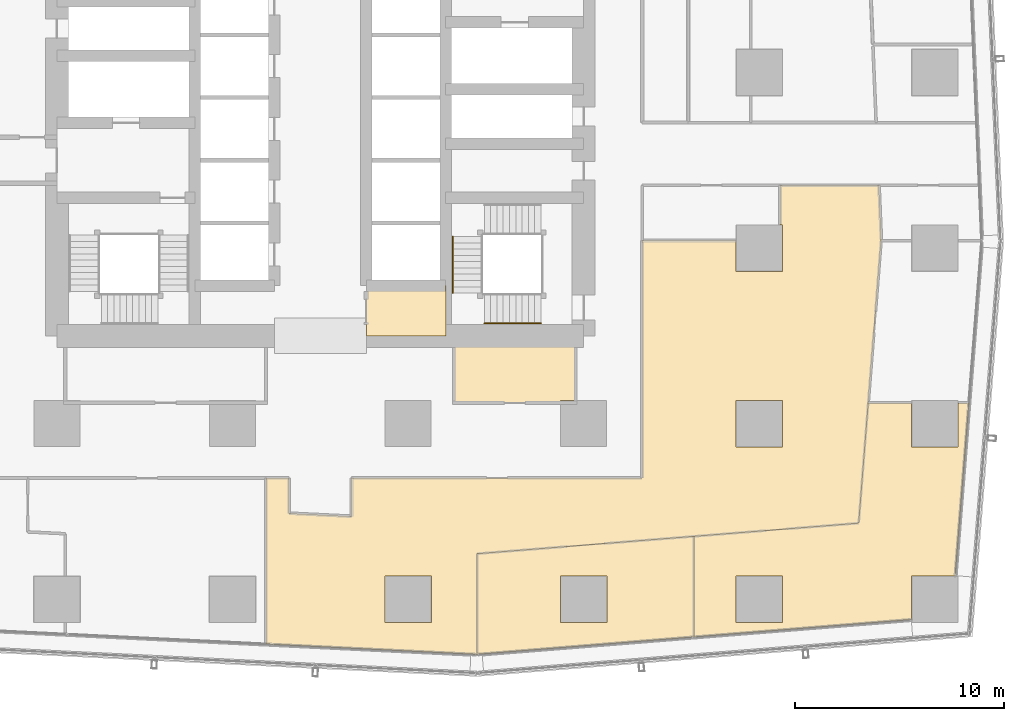
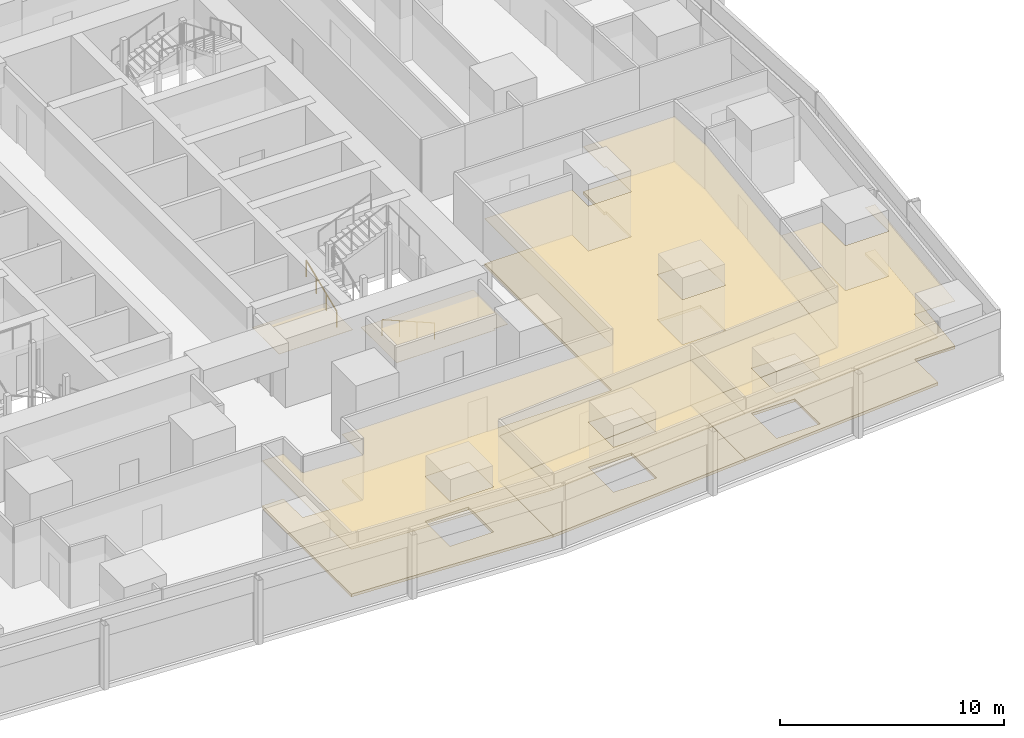
# One storey, part 36 of 42: 8 coverings, 2 railings.
"""IFC4 building model written with IfcOpenShell, lengths in metres."""

from ifc_helpers import new_model, si_unit, direction, frame, origin, origin_2d, place, context, subcontext, project, spatial, polyline, circle, outline, extrude, material, layer, layer_set, type_object, element, save


model = new_model("IFC4")

# Units and contexts
model_context = context("Model", 3, precision=1e-05, world=origin(), true_north=direction((0.0, 1.0)))
body_context = subcontext(model_context, "Body", "Model", "MODEL_VIEW")
ifc_project = project(units=[si_unit("LENGTHUNIT", "METRE"), si_unit("AREAUNIT", "SQUARE_METRE"), si_unit("VOLUMEUNIT", "CUBIC_METRE"), si_unit("PLANEANGLEUNIT", "RADIAN"), si_unit("MASSUNIT", "GRAM", prefix="KILO")], contexts=[model_context])

# Site, building, storey
site_placement = place(None, origin())
site = spatial("IfcSite", under=ifc_project, at=site_placement, CompositionType="ELEMENT")
building_placement = place(site_placement, origin())
building = spatial("IfcBuilding", under=site, at=building_placement, Name="Rekha Terrace Tower", CompositionType="ELEMENT")
storey_placement = place(building_placement, frame((0.0, 0.0, 55.39990234375)))
storey = spatial("IfcBuildingStorey", under=building, at=storey_placement, Name="L13", CompositionType="ELEMENT", Elevation=55.39990234375)

# Coverings
ifc_material_1 = material(Name="Mineral fibre tile in exposed grid", Category="finish")
ifc_layer_1 = layer(ifc_material_1, 0.02001953125)
ifc_layer_set_1 = layer_set([ifc_layer_1], Name="Mineral fibre tile in exposed grid")
covering_type_1 = type_object("IfcCoveringType", Name="CL1 600x1200 office grid ceiling", PredefinedType="CEILING", material=ifc_layer_set_1)
covering_1_placement = place(storey_placement, frame((0.0, 0.0, 2.580078125)))
element("IfcCovering", 1, at=covering_1_placement, inside=storey, type_object=covering_type_1, Name="Ceiling L13-02", PredefinedType="CEILING", context=body_context, shape_type="SweptSolid", body=[
    extrude(outline(polyline([(55.6708984375, 6.594970703125), (55.6708984375, 11.410888671875), (45.304931640625, 10.580078125), (45.304931640625, 5.764892578125), (55.6708984375, 6.594970703125)]), holes=[polyline([(51.514892578125, 7.284912109375), (49.284912109375, 7.284912109375), (49.284912109375, 9.514892578125), (51.514892578125, 9.514892578125), (51.514892578125, 7.284912109375)])]), origin(), (0.0, 0.0, 1.0), 0.02001953125),
])
covering_2_placement = place(storey_placement, frame((0.0, 0.0, 2.580078125)))
element("IfcCovering", 2, at=covering_2_placement, inside=storey, type_object=covering_type_1, Name="Ceiling L13-03", PredefinedType="CEILING", context=body_context, shape_type="SweptSolid", body=[
    extrude(outline(polyline([(63.553955078125, 12.0419921875), (55.673095703125, 11.410888671875), (55.673095703125, 6.594970703125), (66.0849609375, 7.428955078125), (66.0849609375, 9.514892578125), (68.16796875, 9.514892578125), (68.824951171875, 17.798095703125), (68.31494140625, 17.798095703125), (68.31494140625, 15.68505859375), (66.0849609375, 15.68505859375), (66.0849609375, 17.798095703125), (64.010009765625, 17.798095703125), (63.553955078125, 12.0419921875)]), holes=[polyline([(59.9150390625, 7.284912109375), (57.68505859375, 7.284912109375), (57.68505859375, 9.514892578125), (59.9150390625, 9.514892578125), (59.9150390625, 7.284912109375)])]), origin(), (0.0, 0.0, 1.0), 0.02001953125),
])
covering_3_placement = place(storey_placement, frame((0.0, 0.0, 2.580078125)))
element("IfcCovering", 3, at=covering_3_placement, inside=storey, type_object=covering_type_1, Name="Ceiling L13-O1", PredefinedType="CEILING", context=body_context, shape_type="SweptSolid", body=[
    extrude(outline(polyline([(45.304931640625, 10.580078125), (55.6708984375, 11.410888671875), (63.553955078125, 12.0419921875), (64.010009765625, 17.799072265625), (64.625, 25.551025390625), (64.632080078125, 25.551025390625), (64.51904296875, 28.199951171875), (59.800048828125, 28.199951171875), (59.800048828125, 26.31494140625), (59.9150390625, 26.31494140625), (59.9150390625, 24.0849609375), (57.68505859375, 24.0849609375), (57.68505859375, 25.552001953125), (53.199951171875, 25.552001953125), (53.199951171875, 14.199951171875), (39.300048828125, 14.199951171875), (39.300048828125, 12.363037109375), (36.300048828125, 12.510009765625), (36.300048828125, 14.199951171875), (35.200927734375, 14.199951171875), (35.200927734375, 6.257080078125), (45.27197265625, 5.761962890625), (45.304931640625, 5.764892578125), (45.304931640625, 10.580078125)]), holes=[polyline([(59.9150390625, 17.9150390625), (59.9150390625, 15.68505859375), (57.68505859375, 15.68505859375), (57.68505859375, 17.9150390625), (59.9150390625, 17.9150390625)]), polyline([(43.114990234375, 7.284912109375), (40.885009765625, 7.284912109375), (40.885009765625, 9.514892578125), (43.114990234375, 9.514892578125), (43.114990234375, 7.284912109375)])]), origin(), (0.0, 0.0, 1.0), 0.02001953125),
])
ifc_material_2 = material(Name="Fibre cement board", Category="finish")
ifc_layer_2 = layer(ifc_material_2, 0.014892578125)
ifc_layer_set_2 = layer_set([ifc_layer_2], Name="Fibre cement board")
covering_type_2 = type_object("IfcCoveringType", Name="CL2 moisture-resistant board ceiling", PredefinedType="CEILING", material=ifc_layer_set_2)
covering_4_placement = place(storey_placement, frame((0.0, 0.0, 2.585205078125)))
element("IfcCovering", 4, at=covering_4_placement, inside=storey, type_object=covering_type_2, Name="Ceiling L13-WCA", PredefinedType="CEILING", context=body_context, shape_type="SweptSolid", body=[
    extrude(outline(polyline([(43.800048828125, 23.39990234375), (40.0, 23.39990234375), (40.0, 21.0), (43.800048828125, 21.0), (43.800048828125, 23.39990234375)])), origin(), (0.0, 0.0, 1.0), 0.014892578125),
])
covering_5_placement = place(storey_placement, frame((0.0, 0.0, 2.585205078125)))
element("IfcCovering", 5, at=covering_5_placement, inside=storey, type_object=covering_type_2, Name="Ceiling L13-WCM2", PredefinedType="CEILING", context=body_context, shape_type="SweptSolid", body=[
    extrude(outline(polyline([(50.0, 21.0), (44.199951171875, 21.0), (44.199951171875, 17.800048828125), (49.284912109375, 17.800048828125), (49.284912109375, 17.9150390625), (50.0, 17.9150390625), (50.0, 21.0)])), origin(), (0.0, 0.0, 1.0), 0.014892578125),
])

# Railings
ifc_material_3 = material(Name="Stainless steel tube", Category="steel")
railing_type = type_object("IfcRailingType", Name="HR1 900 stair handrail", PredefinedType="HANDRAIL", material=ifc_material_3)
railing_1_placement = place(storey_placement, frame((48.35009765625, 21.610107421875, 0.125)))
element("IfcRailing", 6, at=railing_1_placement, inside=storey, type_object=railing_type, Name="Handrail ST3 L13 flight 1", PredefinedType="HANDRAIL", context=body_context, shape_type="SweptSolid", body=[
    extrude(circle(Radius=0.02392578125, at=origin_2d()), frame((0.0, 0.0, 0.8759765625), z_axis=(-0.923086799901, 0.0, 0.38459167938), x_axis=(0.0, -1.0, 0.0)), (0.0, 0.0, 1.0), 2.92529296875),
    extrude(circle(Radius=0.02099609375, at=origin_2d()), origin(), (0.0, 0.0, 1.0), 0.851806640625),
    extrude(circle(Radius=0.02099609375, at=origin_2d()), frame((-0.900146484375, 0.0, 0.375)), (0.0, 0.0, 1.0), 0.851806640625),
    extrude(circle(Radius=0.02099609375, at=origin_2d()), frame((-1.800048828125, 0.0, 0.75)), (0.0, 0.0, 1.0), 0.851806640625),
    extrude(circle(Radius=0.02099609375, at=origin_2d()), frame((-2.7001953125, 0.0, 1.125)), (0.0, 0.0, 1.0), 0.851806640625),
])
railing_2_placement = place(storey_placement, frame((44.135009765625, 23.050048828125, 1.375)))
element("IfcRailing", 7, at=railing_2_placement, inside=storey, type_object=railing_type, Name="Handrail ST3 L13 flight 2", PredefinedType="HANDRAIL", context=body_context, shape_type="SweptSolid", body=[
    extrude(circle(Radius=0.02392578125, at=origin_2d()), frame((0.0, 0.0, 0.8759765625), z_axis=(0.0, 0.923074453586, 0.384621311341), x_axis=(-1.0, 0.0, 0.0)), (0.0, 0.0, 1.0), 2.925048828125),
    extrude(circle(Radius=0.02099609375, at=origin_2d()), origin(), (0.0, 0.0, 1.0), 0.851806640625),
    extrude(circle(Radius=0.02099609375, at=origin_2d()), frame((0.0, 0.89990234375, 0.375)), (0.0, 0.0, 1.0), 0.851806640625),
    extrude(circle(Radius=0.02099609375, at=origin_2d()), frame((0.0, 1.800048828125, 0.75)), (0.0, 0.0, 1.0), 0.851806640625),
    extrude(circle(Radius=0.02099609375, at=origin_2d()), frame((0.0, 2.699951171875, 1.125)), (0.0, 0.0, 1.0), 0.851806640625),
])

# Coverings
ifc_material_4 = material(Name="Calcium sulphate panels on steel pedestals", Category="steel")
ifc_layer_3 = layer(ifc_material_4, 0.14990234375)
ifc_layer_set_3 = layer_set([ifc_layer_3], Name="Calcium sulphate panels on steel pedestals")
covering_type_3 = type_object("IfcCoveringType", Name="RF1 150 raised access floor", PredefinedType="FLOORING", material=ifc_layer_set_3)
covering_6_placement = place(storey_placement, origin())
element("IfcCovering", 8, at=covering_6_placement, inside=storey, type_object=covering_type_3, Name="Raised floor L13-02", PredefinedType="FLOORING", context=body_context, shape_type="SweptSolid", body=[
    extrude(outline(polyline([(55.6708984375, 6.594970703125), (55.6708984375, 11.410888671875), (45.304931640625, 10.580078125), (45.304931640625, 5.764892578125), (55.6708984375, 6.594970703125)]), holes=[polyline([(51.514892578125, 7.284912109375), (49.284912109375, 7.284912109375), (49.284912109375, 9.514892578125), (51.514892578125, 9.514892578125), (51.514892578125, 7.284912109375)])]), origin(), (0.0, 0.0, 1.0), 0.150146484375),
])
covering_7_placement = place(storey_placement, origin())
element("IfcCovering", 9, at=covering_7_placement, inside=storey, type_object=covering_type_3, Name="Raised floor L13-03", PredefinedType="FLOORING", context=body_context, shape_type="SweptSolid", body=[
    extrude(outline(polyline([(63.553955078125, 12.0419921875), (55.673095703125, 11.410888671875), (55.673095703125, 6.594970703125), (66.0849609375, 7.428955078125), (66.0849609375, 9.514892578125), (68.16796875, 9.514892578125), (68.824951171875, 17.798095703125), (68.31494140625, 17.798095703125), (68.31494140625, 15.68505859375), (66.0849609375, 15.68505859375), (66.0849609375, 17.798095703125), (64.010009765625, 17.798095703125), (63.553955078125, 12.0419921875)]), holes=[polyline([(59.9150390625, 7.284912109375), (57.68505859375, 7.284912109375), (57.68505859375, 9.514892578125), (59.9150390625, 9.514892578125), (59.9150390625, 7.284912109375)])]), origin(), (0.0, 0.0, 1.0), 0.150146484375),
])
covering_8_placement = place(storey_placement, origin())
element("IfcCovering", 10, at=covering_8_placement, inside=storey, type_object=covering_type_3, Name="Raised floor L13-O1", PredefinedType="FLOORING", context=body_context, shape_type="SweptSolid", body=[
    extrude(outline(polyline([(45.304931640625, 10.580078125), (55.6708984375, 11.410888671875), (63.553955078125, 12.0419921875), (64.010009765625, 17.799072265625), (64.625, 25.551025390625), (64.632080078125, 25.551025390625), (64.51904296875, 28.199951171875), (59.800048828125, 28.199951171875), (59.800048828125, 26.31494140625), (59.9150390625, 26.31494140625), (59.9150390625, 24.0849609375), (57.68505859375, 24.0849609375), (57.68505859375, 25.552001953125), (53.199951171875, 25.552001953125), (53.199951171875, 14.199951171875), (39.300048828125, 14.199951171875), (39.300048828125, 12.363037109375), (36.300048828125, 12.510009765625), (36.300048828125, 14.199951171875), (35.200927734375, 14.199951171875), (35.200927734375, 6.257080078125), (45.27197265625, 5.761962890625), (45.304931640625, 5.764892578125), (45.304931640625, 10.580078125)]), holes=[polyline([(59.9150390625, 17.9150390625), (59.9150390625, 15.68505859375), (57.68505859375, 15.68505859375), (57.68505859375, 17.9150390625), (59.9150390625, 17.9150390625)]), polyline([(43.114990234375, 7.284912109375), (40.885009765625, 7.284912109375), (40.885009765625, 9.514892578125), (43.114990234375, 9.514892578125), (43.114990234375, 7.284912109375)])]), origin(), (0.0, 0.0, 1.0), 0.150146484375),
])

save(model, "model.ifc")
